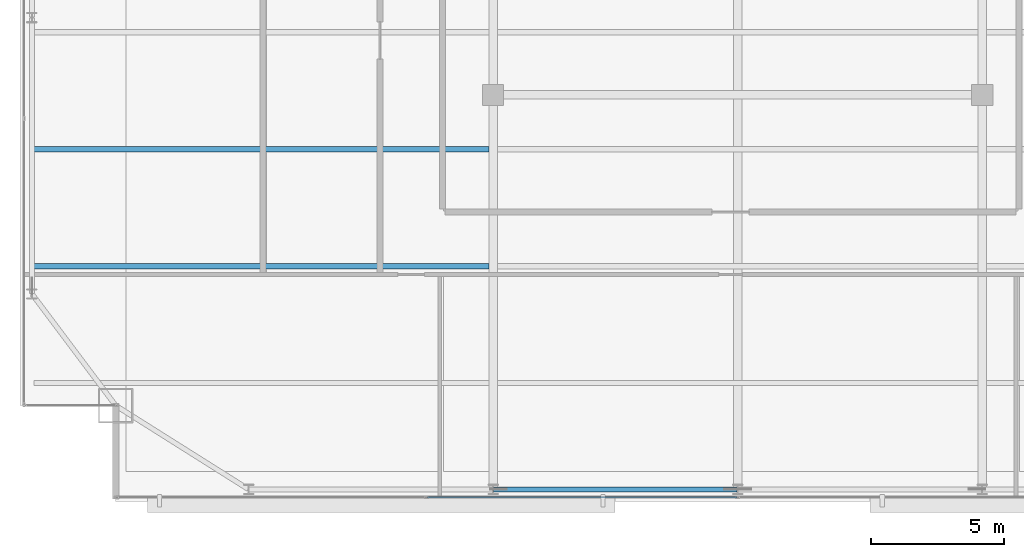
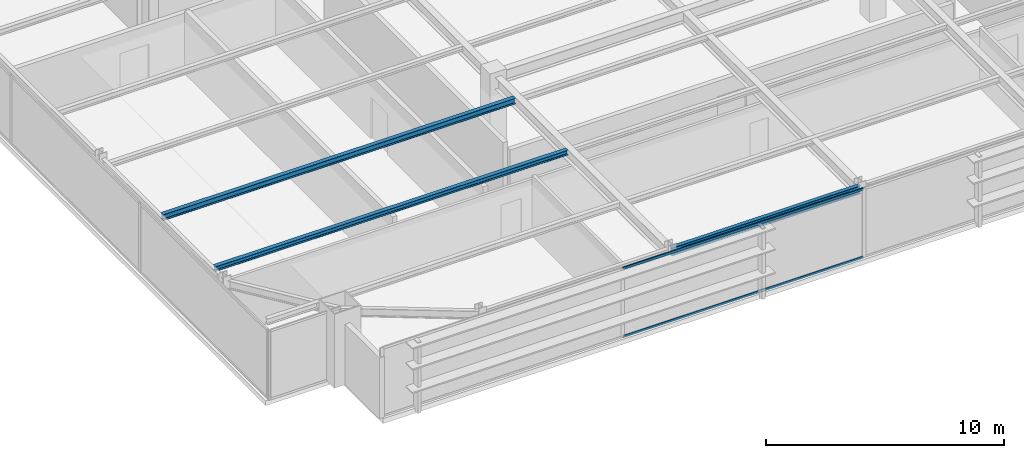
# One storey, part 8 of 29: 3 beams, 2 members, 1 element without a shape of its own.
"""IFC4 building model written with IfcOpenShell, lengths in metres."""

from ifc_helpers import new_model, si_unit, direction, frame, origin, origin_2d, place, context, subcontext, project, spatial, hollow_rectangle, i_section, extrude, source, transform, mapped, material, layer, layer_set, material_profile, profile_set, type_object, type_shapes, element, aggregate, save


model = new_model("IFC4")

# Units and contexts
model_context = context("Model", 3, precision=1e-05, world=origin(), true_north=direction((0.0, 1.0)))
body_context = subcontext(model_context, "Body", "Model", "MODEL_VIEW")
ifc_project = project(units=[si_unit("LENGTHUNIT", "METRE"), si_unit("AREAUNIT", "SQUARE_METRE"), si_unit("VOLUMEUNIT", "CUBIC_METRE"), si_unit("PLANEANGLEUNIT", "RADIAN"), si_unit("MASSUNIT", "GRAM", prefix="KILO")], contexts=[model_context])

# Site, building, storey
site_placement = place(None, origin())
site = spatial("IfcSite", under=ifc_project, at=site_placement, CompositionType="ELEMENT")
building_placement = place(site_placement, origin())
building = spatial("IfcBuilding", under=site, at=building_placement, Name="Varnel Quay Broadcast Tower", CompositionType="ELEMENT")
storey_placement = place(building_placement, frame((0.0, 0.0, 172.39990234375)))
storey = spatial("IfcBuildingStorey", under=building, at=storey_placement, Name="L42", CompositionType="ELEMENT", Elevation=172.39990234375)

# Beams
ifc_material_1 = material(Name="Structural Steel CSA G40.21 350W", Category="steel")
ifc_material_profile_1 = material_profile(ifc_material_1, i_section(OverallWidth=0.180908203125, OverallDepth=0.4169921875, WebThickness=0.010986328125, FlangeThickness=0.018310546875, FilletRadius=0.011962890625, at=origin_2d()), Name="W410X85")
ifc_profile_set_1 = profile_set([ifc_material_profile_1], Name="Structural Steel CSA G40.21 350W")
beam_type_1 = type_object("IfcBeamType", Name="Beam_W410X85", PredefinedType="SPANDREL", material=ifc_profile_set_1)
shared_shape_1 = source(origin(), body_context, "Body", "SweptSolid", [
    extrude(i_section(OverallWidth=0.180908203125, OverallDepth=0.4169921875, WebThickness=0.010986328125, FlangeThickness=0.018310546875, FilletRadius=0.011962890625, at=origin_2d()), origin(), (0.0, 0.0, 1.0), 9.159912109375),
])
type_shapes(beam_type_1, [shared_shape_1])
beam_1_placement = place(storey_placement, frame((24.820068359375, 7.64990234375, 3.341552734375), z_axis=(1.0, 0.0, 0.0), x_axis=(0.0, 1.0, 0.0)))
element("IfcBeam", 1, at=beam_1_placement, inside=storey, type_object=beam_type_1, Name="L42 South Spandrel TC-S2-TC-S3", PredefinedType="SPANDREL", context=body_context, shape_type="MappedRepresentation", body=[
    mapped(shared_shape_1, transform((0.0, 0.0, 0.0), x_axis=(1.0, 0.0, 0.0), y_axis=(0.0, 1.0, 0.0), z_axis=(0.0, 0.0, 1.0), scale=1.0)),
])
ifc_material_profile_2 = material_profile(ifc_material_1, i_section(OverallWidth=0.202880859375, OverallDepth=0.302978515625, WebThickness=0.007568359375, FlangeThickness=0.01318359375, FilletRadius=0.011962890625, at=origin_2d()), Name="W310X60")
ifc_profile_set_2 = profile_set([ifc_material_profile_2], Name="Structural Steel CSA G40.21 350W")
beam_type_2 = type_object("IfcBeamType", Name="Beam_W310X60", PredefinedType="JOIST", material=ifc_profile_set_2)
shared_shape_2 = source(origin(), body_context, "Body", "SweptSolid", [
    extrude(i_section(OverallWidth=0.202880859375, OverallDepth=0.302978515625, WebThickness=0.007568359375, FlangeThickness=0.01318359375, FilletRadius=0.011962890625, at=origin_2d()), origin(), (0.0, 0.0, 1.0), 17.107177734375),
])
type_shapes(beam_type_2, [shared_shape_2])
beam_2_placement = place(storey_placement, frame((7.535400390625, 20.449951171875, 3.398681640625), z_axis=(1.0, 0.0, 0.0), x_axis=(0.0, 1.0, 0.0)))
element("IfcBeam", 2, at=beam_2_placement, inside=storey, type_object=beam_type_2, Name="L42 West Floor Joist 3", PredefinedType="JOIST", context=body_context, shape_type="MappedRepresentation", body=[
    mapped(shared_shape_2, transform((0.0, 0.0, 0.0), x_axis=(1.0, 0.0, 0.0), y_axis=(0.0, 1.0, 0.0), z_axis=(0.0, 0.0, 1.0), scale=1.0)),
])
ifc_material_profile_3 = material_profile(ifc_material_1, i_section(OverallWidth=0.201904296875, OverallDepth=0.2470703125, WebThickness=0.00732421875, FlangeThickness=0.010986328125, FilletRadius=0.010986328125, at=origin_2d()), Name="W250X49")
ifc_profile_set_3 = profile_set([ifc_material_profile_3], Name="Structural Steel CSA G40.21 350W")
beam_type_3 = type_object("IfcBeamType", Name="Beam_W250X49", PredefinedType="JOIST", material=ifc_profile_set_3)
shared_shape_3 = source(origin(), body_context, "Body", "SweptSolid", [
    extrude(i_section(OverallWidth=0.201904296875, OverallDepth=0.2470703125, WebThickness=0.00732421875, FlangeThickness=0.010986328125, FilletRadius=0.010986328125, at=origin_2d()), origin(), (0.0, 0.0, 1.0), 17.107177734375),
])
type_shapes(beam_type_3, [shared_shape_3])
beam_3_placement = place(storey_placement, frame((7.535400390625, 16.050048828125, 3.426513671875), z_axis=(1.0, 0.0, 0.0), x_axis=(0.0, 1.0, 0.0)))
element("IfcBeam", 3, at=beam_3_placement, inside=storey, type_object=beam_type_3, Name="L42 West Floor Joist 2", PredefinedType="JOIST", context=body_context, shape_type="MappedRepresentation", body=[
    mapped(shared_shape_3, transform((0.0, 0.0, 0.0), x_axis=(1.0, 0.0, 0.0), y_axis=(0.0, 1.0, 0.0), z_axis=(0.0, 0.0, 1.0), scale=1.0)),
])

# Curtain wall, members
ifc_material_2 = material(Name="Anodised Bronze Aluminium 6063-T6", Category="aluminium")
ifc_layer = layer(ifc_material_2, 0.18994140625, Name="Anodised Bronze Aluminium 6063-T6")
ifc_layer_set = layer_set([ifc_layer], Name="Anodised Bronze Aluminium 6063-T6")
curtain_wall_type = type_object("IfcCurtainWallType", Name="CW_UpperTower", PredefinedType="NOTDEFINED", material=ifc_layer_set)
curtain_wall_placement = place(storey_placement, origin())
curtain_wall = element("IfcCurtainWall", 4, at=curtain_wall_placement, inside=storey, type_object=curtain_wall_type, Name="L42 South Unitised Curtain Wall 1", PredefinedType="NOTDEFINED")
ifc_material_profile_4 = material_profile(ifc_material_2, hollow_rectangle(XDim=0.06005859375, YDim=0.125, WallThickness=0.0029296875, at=origin_2d()), Name="ALU60X125X3")
ifc_profile_set_4 = profile_set([ifc_material_profile_4], Name="Anodised Bronze Aluminium 6063-T6")
member_type = type_object("IfcMemberType", Name="Tran_CWS-03", PredefinedType="USERDEFINED", material=ifc_profile_set_4)
shared_shape_4 = source(origin(), body_context, "Body", "SweptSolid", [
    extrude(hollow_rectangle(XDim=0.06005859375, YDim=0.125, WallThickness=0.0029296875, at=origin_2d()), origin(), (0.0, 0.0, 1.0), 11.635009765625),
])
type_shapes(member_type, [shared_shape_4])
member_1_placement = place(storey_placement, frame((22.33251953125, 7.35009765625, 0.030029296875), z_axis=(1.0, 0.0, 0.0), x_axis=(0.0, 1.0, 0.0)))
member_1 = element("IfcMember", 5, at=member_1_placement, type_object=member_type, Name="CWS-03 transom 2.1", ObjectType="TRANSOM", PredefinedType="USERDEFINED", context=body_context, shape_type="MappedRepresentation", body=[
    mapped(shared_shape_4, transform((0.0, 0.0, 0.0), x_axis=(1.0, 0.0, 0.0), y_axis=(0.0, 1.0, 0.0), z_axis=(0.0, 0.0, 1.0), scale=1.0)),
])
member_2_placement = place(storey_placement, frame((22.33251953125, 7.35009765625, 3.52001953125), z_axis=(1.0, 0.0, 0.0), x_axis=(0.0, 1.0, 0.0)))
member_2 = element("IfcMember", 6, at=member_2_placement, type_object=member_type, Name="CWS-03 transom 2.2", ObjectType="TRANSOM", PredefinedType="USERDEFINED", context=body_context, shape_type="MappedRepresentation", body=[
    mapped(shared_shape_4, transform((0.0, 0.0, 0.0), x_axis=(1.0, 0.0, 0.0), y_axis=(0.0, 1.0, 0.0), z_axis=(0.0, 0.0, 1.0), scale=1.0)),
])
aggregate(curtain_wall, [member_1, member_2])

save(model, "model.ifc")
